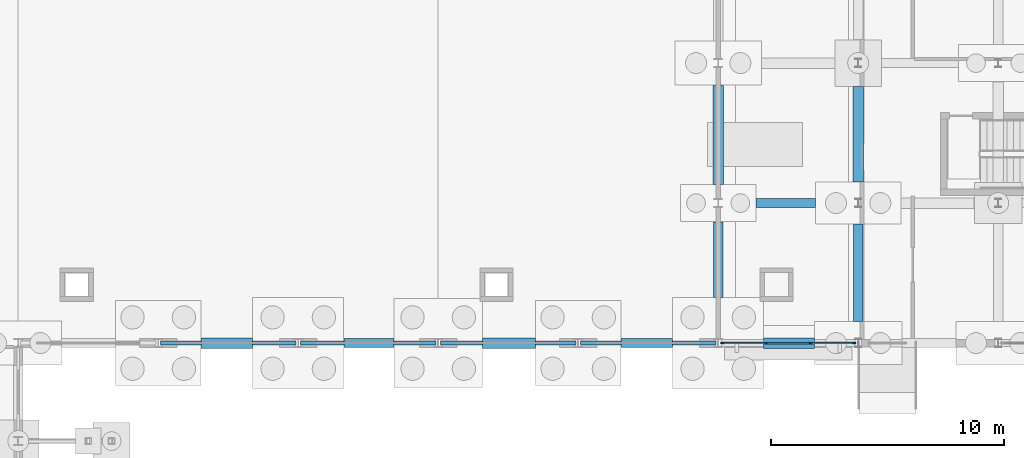
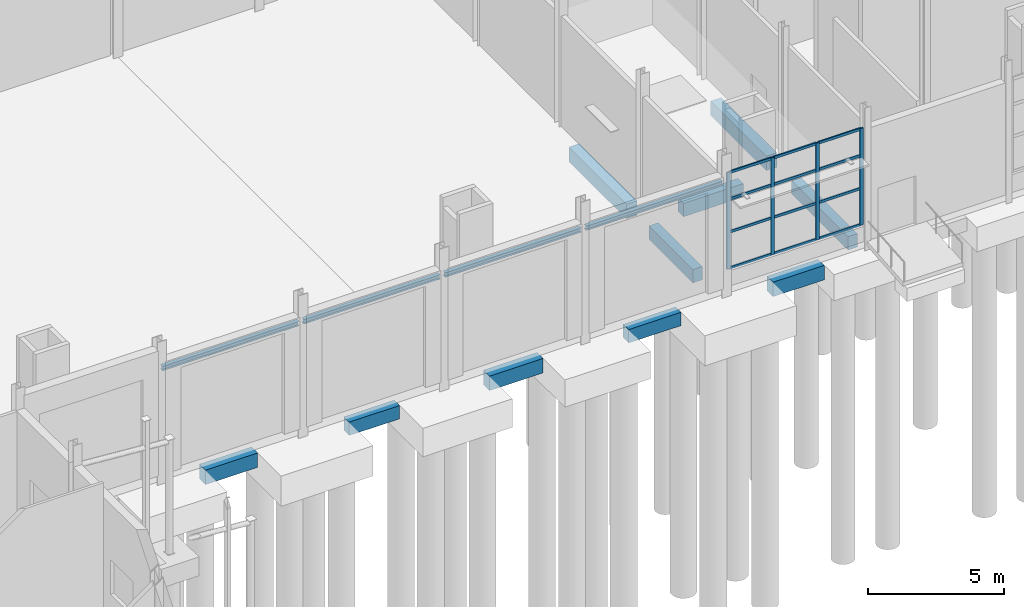
# One storey, part 40 of 120: 16 members, 14 beams, 1 element without a shape of its own.
"""IFC4 building model written with IfcOpenShell, lengths in metres."""

import ifcopenshell
import ifcopenshell.guid

model = None  # the IFC model being written
_history = None  # IfcOwnerHistory: only IFC2X3 demands one
_inside = {}  # id of a spatial element -> (the spatial element, [elements in it])
_under = {}  # id of a project, library or spatial element -> (it, [spatial elements below it])
_declared = {}  # id of a project -> (the project, [libraries it declares])
_typed = {}  # id of a type object -> (the type object, [elements of that type])
_made_of = {}  # id of a material, layer set ... -> (it, [elements and type objects made of it])


def new_model(schema):
    """Start an empty IFC model of exactly this schema.

    Asked for "IFC4X3", IfcOpenShell would pick the latest addendum, in which some entities
    have other attributes; the version numbers below select the first issue.
    IFC2X3 requires an IfcOwnerHistory on every rooted entity: one is made here for all.
    """
    global model, _history
    if schema == "IFC4X3":
        model = ifcopenshell.file(schema_version=(4, 3, 0, 0))
    else:
        model = ifcopenshell.file(schema=schema)
    _inside.clear()
    _under.clear()
    _declared.clear()
    _typed.clear()
    _made_of.clear()
    _history = None
    if model.schema == "IFC2X3":
        org = make("IfcOrganization", Name="unknown")
        user = make(
            "IfcPersonAndOrganization",
            ThePerson=make("IfcPerson", FamilyName="unknown"),
            TheOrganization=org,
        )
        app = make(
            "IfcApplication",
            ApplicationDeveloper=org,
            Version="unknown",
            ApplicationFullName="unknown",
            ApplicationIdentifier="unknown",
        )
        _history = make(
            "IfcOwnerHistory",
            OwningUser=user,
            OwningApplication=app,
            ChangeAction="ADDED",
            CreationDate=0,
        )
    return model


def make(cls, **values):
    """One entity of the class cls with the attributes given. An attribute that is None is left unset."""
    return model.create_entity(
        cls, **{name: value for name, value in values.items() if value is not None}
    )


def rooted(cls, **values):
    """An entity with a GlobalId (a new one), such as an element, a storey or a relation."""
    return make(cls, GlobalId=ifcopenshell.guid.new(), OwnerHistory=_history, **values)


def si_unit(unit_type, name, prefix=None):
    """IfcSIUnit, for example si_unit("LENGTHUNIT", "METRE", prefix="MILLI")."""
    return make("IfcSIUnit", UnitType=unit_type, Prefix=prefix, Name=name)


def assignment(units):
    """IfcUnitAssignment: the units of a project."""
    return None if units is None else make("IfcUnitAssignment", Units=units)


def point(xyz):
    """IfcCartesianPoint."""
    return None if xyz is None else make("IfcCartesianPoint", Coordinates=xyz)


def direction(xyz):
    """IfcDirection."""
    return None if xyz is None else make("IfcDirection", DirectionRatios=xyz)


def frame(location, z_axis=None, x_axis=None):
    """IfcAxis2Placement3D, a coordinate frame: its origin and axes. An axis left out is left unset."""
    return make(
        "IfcAxis2Placement3D",
        Location=point(location),
        Axis=direction(z_axis),
        RefDirection=direction(x_axis),
    )


def frame_2d(location, x_axis=None):
    """IfcAxis2Placement2D, a coordinate frame in the plane: its origin and x axis."""
    return make(
        "IfcAxis2Placement2D", Location=point(location), RefDirection=direction(x_axis)
    )


def origin():
    """The frame at (0, 0, 0) with its axes left unset."""
    return frame((0.0, 0.0, 0.0))


def origin_2d():
    """The frame at (0, 0) in the plane with its x axis left unset."""
    return frame_2d((0.0, 0.0))


def place(relative_to, where):
    """IfcLocalPlacement: puts the frame where relative to a parent placement (None: the world)."""
    return make(
        "IfcLocalPlacement", PlacementRelTo=relative_to, RelativePlacement=where
    )


def context(
    kind, dimensions, precision=None, world=None, true_north=None, identifier=None
):
    """IfcGeometricRepresentationContext, for example the 3D "Model" context."""
    return make(
        "IfcGeometricRepresentationContext",
        ContextIdentifier=identifier,
        ContextType=kind,
        CoordinateSpaceDimension=dimensions,
        Precision=precision,
        WorldCoordinateSystem=world,
        TrueNorth=true_north,
    )


def subcontext(parent, identifier, kind, view, scale=None):
    """IfcGeometricRepresentationSubContext, for example "Body" below "Model"."""
    return make(
        "IfcGeometricRepresentationSubContext",
        ContextIdentifier=identifier,
        ContextType=kind,
        ParentContext=parent,
        TargetScale=scale,
        TargetView=view,
    )


def project(units=None, contexts=None):
    """IfcProject with its units and contexts."""
    return rooted(
        "IfcProject",
        Name="project",
        RepresentationContexts=contexts,
        UnitsInContext=assignment(units),
    )


def spatial(cls, under=None, at=None, **own):
    """A site, building, storey or space (cls), placed at a placement, below another one or the project."""
    s = rooted(cls, ObjectPlacement=at, **own)
    if under is not None:
        _under.setdefault(under.id(), (under, []))[1].append(s)
    return s


def profile(cls, at=None, kind="AREA", **sizes):
    """A parametric profile (cls). Its sizes go by their IFC names, for example OverallWidth=200.0."""
    return make(cls, ProfileType=kind, Position=at, **sizes)


def rectangle(**sizes):
    """IfcRectangleProfileDef."""
    return profile("IfcRectangleProfileDef", **sizes)


def i_section(**sizes):
    """IfcIShapeProfileDef."""
    return profile("IfcIShapeProfileDef", **sizes)


def extrude(swept, where, along, depth):
    """IfcExtrudedAreaSolid: the profile swept, set in the frame where, extruded along a direction by depth."""
    return make(
        "IfcExtrudedAreaSolid",
        SweptArea=swept,
        Position=where,
        ExtrudedDirection=direction(along),
        Depth=depth,
    )


def shape(context_of_items, identifier, shape_type, items):
    """IfcShapeRepresentation: the items that make up one representation, for example the "Body"."""
    return make(
        "IfcShapeRepresentation",
        ContextOfItems=context_of_items,
        RepresentationIdentifier=identifier,
        RepresentationType=shape_type,
        Items=items,
    )


def material(Name=None, Category=None):
    """IfcMaterial."""
    return make("IfcMaterial", Name=Name, Category=Category)


def material_profile(
    of_material, cross_section, Name=None, Category=None, Priority=None
):
    """IfcMaterialProfile: a cross section and its material."""
    return make(
        "IfcMaterialProfile",
        Name=Name,
        Material=of_material,
        Profile=cross_section,
        Priority=Priority,
        Category=Category,
    )


def profile_set(profiles, Name=None, composite=None):
    """IfcMaterialProfileSet."""
    return make(
        "IfcMaterialProfileSet",
        Name=Name,
        MaterialProfiles=profiles,
        CompositeProfile=composite,
    )


def made_of(thing, what):
    """Note that an element or type object is made of a material, layer set ...; save() writes the relation."""
    if what is not None:
        _made_of.setdefault(what.id(), (what, []))[1].append(thing)
    return thing


def type_object(cls, material=None, **own):
    """A type object (cls), such as IfcWallType, which elements share."""
    return made_of(rooted(cls, **own), material)


def element(
    cls,
    number,
    at=None,
    inside=None,
    cuts=None,
    type_object=None,
    material=None,
    context=None,
    identifier="Body",
    shape_type=None,
    held_by="IfcProductDefinitionShape",
    body=None,
    shapes=None,
    **own,
):
    """One element of the class cls, such as IfcWall. Its Tag is "e" and its number.

    at: its placement. inside: the storey or other place that contains it. cuts: it is an
    opening in that element (IfcRelVoidsElement). A single representation is given by context,
    identifier, shape_type and body (its items); several are given by shapes. held_by: the class
    of the entity that holds the representations. save() writes the other relations.
    """
    e = rooted(cls, Tag="e%d" % number, ObjectPlacement=at, **own)
    if body is not None:
        shapes = [shape(context, identifier, shape_type, body)]
    if shapes is not None:
        e.Representation = make(held_by, Representations=shapes)
    if inside is not None:
        _inside.setdefault(inside.id(), (inside, []))[1].append(e)
    if cuts is not None:
        rooted(
            "IfcRelVoidsElement", RelatingBuildingElement=cuts, RelatedOpeningElement=e
        )
    if type_object is not None:
        _typed.setdefault(type_object.id(), (type_object, []))[1].append(e)
    return made_of(e, material)


def aggregate(whole, parts):
    """IfcRelAggregates: a whole, such as a stair, and the parts it consists of."""
    return rooted("IfcRelAggregates", RelatingObject=whole, RelatedObjects=parts)


def save(model, path):
    """Write the relations noted so far, then the file.

    IfcRelAggregates (storeys below a building ...), IfcRelContainedInSpatialStructure (elements
    in a storey), IfcRelDefinesByType, IfcRelAssociatesMaterial and IfcRelDeclares: one each for
    every whole, place, type object, material and project.
    """
    for whole, parts in _under.values():
        aggregate(whole, parts)
    for where, things in _inside.values():
        rooted(
            "IfcRelContainedInSpatialStructure",
            RelatedElements=things,
            RelatingStructure=where,
        )
    for kind, things in _typed.values():
        rooted("IfcRelDefinesByType", RelatedObjects=things, RelatingType=kind)
    for what, things in _made_of.values():
        rooted("IfcRelAssociatesMaterial", RelatedObjects=things, RelatingMaterial=what)
    for by, libraries in _declared.values():
        rooted("IfcRelDeclares", RelatingContext=by, RelatedDefinitions=libraries)
    model.write(path)


model = new_model("IFC4")

# Units and contexts
model_context = context("Model", 3, precision=1e-05, world=origin(), true_north=direction((0.0, 1.0)))
body_context = subcontext(model_context, "Body", "Model", "MODEL_VIEW")
ifc_project = project(units=[si_unit("LENGTHUNIT", "METRE"), si_unit("AREAUNIT", "SQUARE_METRE"), si_unit("VOLUMEUNIT", "CUBIC_METRE"), si_unit("PLANEANGLEUNIT", "RADIAN"), si_unit("MASSUNIT", "GRAM", prefix="KILO")], contexts=[model_context])

# Site, building, storey
site_placement = place(None, origin())
site = spatial("IfcSite", under=ifc_project, at=site_placement, CompositionType="ELEMENT")
building_placement = place(site_placement, origin())
building = spatial("IfcBuilding", under=site, at=building_placement, Name="Siltcreek Boulevard Central Fire Station", CompositionType="ELEMENT")
storey_placement = place(building_placement, origin())
storey = spatial("IfcBuildingStorey", under=building, at=storey_placement, Name="L01", CompositionType="ELEMENT", Elevation=0.0)

# Curtain wall, members
ifc_material_1 = material(Name="Anodized aluminum and low-E insulated glazing", Category="aluminium")
curtain_wall_type = type_object("IfcCurtainWallType", Name="CW_SYS_16", PredefinedType="USERDEFINED", material=ifc_material_1)
curtain_wall_placement = place(storey_placement, origin())
curtain_wall = element("IfcCurtainWall", 1, at=curtain_wall_placement, inside=storey, type_object=curtain_wall_type, Name="L01 V2 unitised curtain wall CW-015", ObjectType="CURTAIN WALL", PredefinedType="USERDEFINED")
ifc_material_2 = material(Name="Anodized 6063-T6 aluminum framing", Category="aluminium")
ifc_material_profile_1 = material_profile(ifc_material_2, rectangle(XDim=0.06005859375, YDim=0.14990234375, at=origin_2d()), Name="MULL60X150")
ifc_profile_set_1 = profile_set([ifc_material_profile_1], Name="Anodized 6063-T6 aluminum framing")
member_type_1 = type_object("IfcMemberType", Name="CWM_60X150", PredefinedType="MULLION", material=ifc_profile_set_1)
member_1_placement = place(storey_placement, frame((90.175048828125, 18.0, 0.679931640625), z_axis=(0.0, 0.0, 1.0), x_axis=(0.0, 1.0, 0.0)))
member_1 = element("IfcMember", 2, at=member_1_placement, type_object=member_type_1, Name="CW-015 mullion 1", PredefinedType="MULLION", context=body_context, shape_type="SweptSolid", body=[
    extrude(rectangle(XDim=0.06005859375, YDim=0.14990234375, at=origin_2d()), origin(), (0.0, 0.0, 1.0), 4.35498046875),
])
member_2_placement = place(storey_placement, frame((92.04833984375, 18.0, 0.679931640625), z_axis=(0.0, 0.0, 1.0), x_axis=(0.0, 1.0, 0.0)))
member_2 = element("IfcMember", 3, at=member_2_placement, type_object=member_type_1, Name="CW-015 mullion 2", PredefinedType="MULLION", context=body_context, shape_type="SweptSolid", body=[
    extrude(rectangle(XDim=0.06005859375, YDim=0.14990234375, at=origin_2d()), origin(), (0.0, 0.0, 1.0), 4.35498046875),
])
member_3_placement = place(storey_placement, frame((93.95166015625, 18.0, 0.679931640625), z_axis=(0.0, 0.0, 1.0), x_axis=(0.0, 1.0, 0.0)))
member_3 = element("IfcMember", 4, at=member_3_placement, type_object=member_type_1, Name="CW-015 mullion 3", PredefinedType="MULLION", context=body_context, shape_type="SweptSolid", body=[
    extrude(rectangle(XDim=0.06005859375, YDim=0.14990234375, at=origin_2d()), origin(), (0.0, 0.0, 1.0), 4.35498046875),
])
member_4_placement = place(storey_placement, frame((95.824951171875, 18.0, 0.679931640625), z_axis=(0.0, 0.0, 1.0), x_axis=(0.0, 1.0, 0.0)))
member_4 = element("IfcMember", 5, at=member_4_placement, type_object=member_type_1, Name="CW-015 mullion 4", PredefinedType="MULLION", context=body_context, shape_type="SweptSolid", body=[
    extrude(rectangle(XDim=0.06005859375, YDim=0.14990234375, at=origin_2d()), origin(), (0.0, 0.0, 1.0), 4.35498046875),
])
ifc_material_profile_2 = material_profile(ifc_material_2, rectangle(XDim=0.06005859375, YDim=0.114990234375, at=origin_2d()), Name="TRAN60X115")
ifc_profile_set_2 = profile_set([ifc_material_profile_2], Name="Anodized 6063-T6 aluminum framing")
member_type_2 = type_object("IfcMemberType", Name="CWT_60X115", PredefinedType="USERDEFINED", material=ifc_profile_set_2)
member_5_placement = place(storey_placement, frame((90.205078125, 18.0, 0.7099609375), z_axis=(1.0, 0.0, 0.0), x_axis=(0.0, 1.0, 0.0)))
member_5 = element("IfcMember", 6, at=member_5_placement, type_object=member_type_2, Name="CW-015 transom 1.1", ObjectType="TRANSOM", PredefinedType="USERDEFINED", context=body_context, shape_type="SweptSolid", body=[
    extrude(rectangle(XDim=0.06005859375, YDim=0.114990234375, at=origin_2d()), origin(), (0.0, 0.0, 1.0), 1.813232421875),
])
member_6_placement = place(storey_placement, frame((90.205078125, 18.0, 2.3349609375), z_axis=(1.0, 0.0, 0.0), x_axis=(0.0, 1.0, 0.0)))
member_6 = element("IfcMember", 7, at=member_6_placement, type_object=member_type_2, Name="CW-015 transom 1.2", ObjectType="TRANSOM", PredefinedType="USERDEFINED", context=body_context, shape_type="SweptSolid", body=[
    extrude(rectangle(XDim=0.06005859375, YDim=0.114990234375, at=origin_2d()), origin(), (0.0, 0.0, 1.0), 1.813232421875),
])
member_7_placement = place(storey_placement, frame((90.205078125, 18.0, 3.815673828125), z_axis=(1.0, 0.0, 0.0), x_axis=(0.0, 1.0, 0.0)))
member_7 = element("IfcMember", 8, at=member_7_placement, type_object=member_type_2, Name="CW-015 transom 1.3", ObjectType="TRANSOM", PredefinedType="USERDEFINED", context=body_context, shape_type="SweptSolid", body=[
    extrude(rectangle(XDim=0.06005859375, YDim=0.114990234375, at=origin_2d()), origin(), (0.0, 0.0, 1.0), 1.813232421875),
])
member_8_placement = place(storey_placement, frame((90.205078125, 18.0, 5.0048828125), z_axis=(1.0, 0.0, 0.0), x_axis=(0.0, 1.0, 0.0)))
member_8 = element("IfcMember", 9, at=member_8_placement, type_object=member_type_2, Name="CW-015 transom 1.4", ObjectType="TRANSOM", PredefinedType="USERDEFINED", context=body_context, shape_type="SweptSolid", body=[
    extrude(rectangle(XDim=0.06005859375, YDim=0.114990234375, at=origin_2d()), origin(), (0.0, 0.0, 1.0), 1.813232421875),
])
member_9_placement = place(storey_placement, frame((92.078369140625, 18.0, 0.7099609375), z_axis=(1.0, 0.0, 0.0), x_axis=(0.0, 1.0, 0.0)))
member_9 = element("IfcMember", 10, at=member_9_placement, type_object=member_type_2, Name="CW-015 transom 2.1", ObjectType="TRANSOM", PredefinedType="USERDEFINED", context=body_context, shape_type="SweptSolid", body=[
    extrude(rectangle(XDim=0.06005859375, YDim=0.114990234375, at=origin_2d()), origin(), (0.0, 0.0, 1.0), 1.84326171875),
])
member_10_placement = place(storey_placement, frame((92.078369140625, 18.0, 2.3349609375), z_axis=(1.0, 0.0, 0.0), x_axis=(0.0, 1.0, 0.0)))
member_10 = element("IfcMember", 11, at=member_10_placement, type_object=member_type_2, Name="CW-015 transom 2.2", ObjectType="TRANSOM", PredefinedType="USERDEFINED", context=body_context, shape_type="SweptSolid", body=[
    extrude(rectangle(XDim=0.06005859375, YDim=0.114990234375, at=origin_2d()), origin(), (0.0, 0.0, 1.0), 1.84326171875),
])
member_11_placement = place(storey_placement, frame((92.078369140625, 18.0, 3.815673828125), z_axis=(1.0, 0.0, 0.0), x_axis=(0.0, 1.0, 0.0)))
member_11 = element("IfcMember", 12, at=member_11_placement, type_object=member_type_2, Name="CW-015 transom 2.3", ObjectType="TRANSOM", PredefinedType="USERDEFINED", context=body_context, shape_type="SweptSolid", body=[
    extrude(rectangle(XDim=0.06005859375, YDim=0.114990234375, at=origin_2d()), origin(), (0.0, 0.0, 1.0), 1.84326171875),
])
member_12_placement = place(storey_placement, frame((92.078369140625, 18.0, 5.0048828125), z_axis=(1.0, 0.0, 0.0), x_axis=(0.0, 1.0, 0.0)))
member_12 = element("IfcMember", 13, at=member_12_placement, type_object=member_type_2, Name="CW-015 transom 2.4", ObjectType="TRANSOM", PredefinedType="USERDEFINED", context=body_context, shape_type="SweptSolid", body=[
    extrude(rectangle(XDim=0.06005859375, YDim=0.114990234375, at=origin_2d()), origin(), (0.0, 0.0, 1.0), 1.84326171875),
])
member_13_placement = place(storey_placement, frame((93.981689453125, 18.0, 0.7099609375), z_axis=(1.0, 0.0, 0.0), x_axis=(0.0, 1.0, 0.0)))
member_13 = element("IfcMember", 14, at=member_13_placement, type_object=member_type_2, Name="CW-015 transom 3.1", ObjectType="TRANSOM", PredefinedType="USERDEFINED", context=body_context, shape_type="SweptSolid", body=[
    extrude(rectangle(XDim=0.06005859375, YDim=0.114990234375, at=origin_2d()), origin(), (0.0, 0.0, 1.0), 1.813232421875),
])
member_14_placement = place(storey_placement, frame((93.981689453125, 18.0, 2.3349609375), z_axis=(1.0, 0.0, 0.0), x_axis=(0.0, 1.0, 0.0)))
member_14 = element("IfcMember", 15, at=member_14_placement, type_object=member_type_2, Name="CW-015 transom 3.2", ObjectType="TRANSOM", PredefinedType="USERDEFINED", context=body_context, shape_type="SweptSolid", body=[
    extrude(rectangle(XDim=0.06005859375, YDim=0.114990234375, at=origin_2d()), origin(), (0.0, 0.0, 1.0), 1.813232421875),
])
member_15_placement = place(storey_placement, frame((93.981689453125, 18.0, 3.815673828125), z_axis=(1.0, 0.0, 0.0), x_axis=(0.0, 1.0, 0.0)))
member_15 = element("IfcMember", 16, at=member_15_placement, type_object=member_type_2, Name="CW-015 transom 3.3", ObjectType="TRANSOM", PredefinedType="USERDEFINED", context=body_context, shape_type="SweptSolid", body=[
    extrude(rectangle(XDim=0.06005859375, YDim=0.114990234375, at=origin_2d()), origin(), (0.0, 0.0, 1.0), 1.813232421875),
])
member_16_placement = place(storey_placement, frame((93.981689453125, 18.0, 5.0048828125), z_axis=(1.0, 0.0, 0.0), x_axis=(0.0, 1.0, 0.0)))
member_16 = element("IfcMember", 17, at=member_16_placement, type_object=member_type_2, Name="CW-015 transom 3.4", ObjectType="TRANSOM", PredefinedType="USERDEFINED", context=body_context, shape_type="SweptSolid", body=[
    extrude(rectangle(XDim=0.06005859375, YDim=0.114990234375, at=origin_2d()), origin(), (0.0, 0.0, 1.0), 1.813232421875),
])
aggregate(curtain_wall, [member_1, member_2, member_3, member_4, member_5, member_6, member_7, member_8, member_9, member_10, member_11, member_12, member_13, member_14, member_15, member_16])

# Beams
ifc_material_3 = material(Name="Concrete C35/45", Category="concrete")
ifc_material_profile_3 = material_profile(ifc_material_3, rectangle(XDim=0.39990234375, YDim=0.60009765625, at=origin_2d()), Name="RC400X600")
ifc_profile_set_3 = profile_set([ifc_material_profile_3], Name="Concrete C35/45")
beam_type_1 = type_object("IfcBeamType", Name="GB_RC400X600", PredefinedType="USERDEFINED", material=ifc_profile_set_3)
beam_1_placement = place(storey_placement, frame((73.951904296875, 18.0, -0.7099609375), z_axis=(1.0, 0.0, 0.0), x_axis=(0.0, 1.0, 0.0)))
element("IfcBeam", 18, at=beam_1_placement, inside=storey, type_object=beam_type_1, Name="Reinforced concrete tie grade beam GB-035", ObjectType="GRADE BEAM", PredefinedType="USERDEFINED", context=body_context, shape_type="SweptSolid", body=[
    extrude(rectangle(XDim=0.39990234375, YDim=0.60009765625, at=origin_2d()), origin(), (0.0, 0.0, 1.0), 2.14599609375),
])
beam_2_placement = place(storey_placement, frame((85.826904296875, 18.0, -0.7099609375), z_axis=(1.0, 0.0, 0.0), x_axis=(0.0, 1.0, 0.0)))
element("IfcBeam", 19, at=beam_2_placement, inside=storey, type_object=beam_type_1, Name="Reinforced concrete tie grade beam GB-037", ObjectType="GRADE BEAM", PredefinedType="USERDEFINED", context=body_context, shape_type="SweptSolid", body=[
    extrude(rectangle(XDim=0.39990234375, YDim=0.60009765625, at=origin_2d()), origin(), (0.0, 0.0, 1.0), 2.22119140625),
])
beam_3_placement = place(storey_placement, frame((91.626953125, 24.0, -0.7099609375), z_axis=(1.0, 0.0, 0.0), x_axis=(0.0, 1.0, 0.0)))
element("IfcBeam", 20, at=beam_3_placement, inside=storey, type_object=beam_type_1, Name="Reinforced concrete tie grade beam GB-053", ObjectType="GRADE BEAM", PredefinedType="USERDEFINED", context=body_context, shape_type="SweptSolid", body=[
    extrude(rectangle(XDim=0.39990234375, YDim=0.60009765625, at=origin_2d()), origin(), (0.0, 0.0, 1.0), 2.546142578125),
])
beam_4_placement = place(storey_placement, frame((90.0, 19.951904296875, -0.7099609375), z_axis=(0.0, 1.0, 0.0), x_axis=(-1.0, 0.0, 0.0)))
element("IfcBeam", 21, at=beam_4_placement, inside=storey, type_object=beam_type_1, Name="Reinforced concrete tie grade beam GB-185", ObjectType="GRADE BEAM", PredefinedType="USERDEFINED", context=body_context, shape_type="SweptSolid", body=[
    extrude(rectangle(XDim=0.39990234375, YDim=0.60009765625, at=origin_2d()), origin(), (0.0, 0.0, 1.0), 3.24609375),
])
beam_5_placement = place(storey_placement, frame((96.0, 18.927001953125, -0.7099609375), z_axis=(0.0, 1.0, 0.0), x_axis=(-1.0, 0.0, 0.0)))
element("IfcBeam", 22, at=beam_5_placement, inside=storey, type_object=beam_type_1, Name="Reinforced concrete tie grade beam GB-191", ObjectType="GRADE BEAM", PredefinedType="USERDEFINED", context=body_context, shape_type="SweptSolid", body=[
    extrude(rectangle(XDim=0.39990234375, YDim=0.60009765625, at=origin_2d()), origin(), (0.0, 0.0, 1.0), 4.1708984375),
])
ifc_material_profile_4 = material_profile(ifc_material_3, rectangle(XDim=0.449951171875, YDim=0.64990234375, at=origin_2d()), Name="RC450X650")
ifc_profile_set_4 = profile_set([ifc_material_profile_4], Name="Concrete C35/45")
beam_type_2 = type_object("IfcBeamType", Name="GB_RC450X650", PredefinedType="USERDEFINED", material=ifc_profile_set_4)
beam_6_placement = place(storey_placement, frame((67.826904296875, 18.0, -0.735107421875), z_axis=(1.0, 0.0, 0.0), x_axis=(0.0, 1.0, 0.0)))
element("IfcBeam", 23, at=beam_6_placement, inside=storey, type_object=beam_type_2, Name="Reinforced concrete tie grade beam GB-034", ObjectType="GRADE BEAM", PredefinedType="USERDEFINED", context=body_context, shape_type="SweptSolid", body=[
    extrude(rectangle(XDim=0.449951171875, YDim=0.64990234375, at=origin_2d()), origin(), (0.0, 0.0, 1.0), 2.22119140625),
])
beam_7_placement = place(storey_placement, frame((79.902099609375, 18.0, -0.735107421875), z_axis=(1.0, 0.0, 0.0), x_axis=(0.0, 1.0, 0.0)))
element("IfcBeam", 24, at=beam_7_placement, inside=storey, type_object=beam_type_2, Name="Reinforced concrete tie grade beam GB-036", ObjectType="GRADE BEAM", PredefinedType="USERDEFINED", context=body_context, shape_type="SweptSolid", body=[
    extrude(rectangle(XDim=0.449951171875, YDim=0.64990234375, at=origin_2d()), origin(), (0.0, 0.0, 1.0), 2.27099609375),
])
beam_8_placement = place(storey_placement, frame((91.951904296875, 18.0, -0.735107421875), z_axis=(1.0, 0.0, 0.0), x_axis=(0.0, 1.0, 0.0)))
element("IfcBeam", 25, at=beam_8_placement, inside=storey, type_object=beam_type_2, Name="Reinforced concrete tie grade beam GB-038", ObjectType="GRADE BEAM", PredefinedType="USERDEFINED", context=body_context, shape_type="SweptSolid", body=[
    extrude(rectangle(XDim=0.449951171875, YDim=0.64990234375, at=origin_2d()), origin(), (0.0, 0.0, 1.0), 2.171142578125),
])
beam_9_placement = place(storey_placement, frame((90.0, 24.802001953125, -0.735107421875), z_axis=(0.0, 1.0, 0.0), x_axis=(-1.0, 0.0, 0.0)))
element("IfcBeam", 26, at=beam_9_placement, inside=storey, type_object=beam_type_2, Name="Reinforced concrete tie grade beam GB-186", ObjectType="GRADE BEAM", PredefinedType="USERDEFINED", context=body_context, shape_type="SweptSolid", body=[
    extrude(rectangle(XDim=0.449951171875, YDim=0.64990234375, at=origin_2d()), origin(), (0.0, 0.0, 1.0), 4.24609375),
])
beam_10_placement = place(storey_placement, frame((96.0, 24.902099609375, -0.735107421875), z_axis=(0.0, 1.0, 0.0), x_axis=(-1.0, 0.0, 0.0)))
element("IfcBeam", 27, at=beam_10_placement, inside=storey, type_object=beam_type_2, Name="Reinforced concrete tie grade beam GB-192", ObjectType="GRADE BEAM", PredefinedType="USERDEFINED", context=body_context, shape_type="SweptSolid", body=[
    extrude(rectangle(XDim=0.449951171875, YDim=0.64990234375, at=origin_2d()), origin(), (0.0, 0.0, 1.0), 4.095947265625),
])
ifc_material_4 = material(Name="Structural steel ASTM A992 Gr50", Category="steel")
ifc_material_profile_5 = material_profile(ifc_material_4, i_section(OverallWidth=0.1650390625, OverallDepth=0.200927734375, WebThickness=0.006103515625, FlangeThickness=0.01025390625, at=origin_2d()), Name="W200X36")
ifc_profile_set_5 = profile_set([ifc_material_profile_5], Name="Structural steel ASTM A992 Gr50")
beam_type_3 = type_object("IfcBeamType", Name="LIN_W200X36", PredefinedType="LINTEL", material=ifc_profile_set_5)
for number, where, z_axis, x_axis, name in (
    (28, (66.10009765625, 18.0, 4.669921875), (1.0, 0.0, 0.0), (0.0, 1.0, 0.0), "Apparatus bay header lintel beam LN-004"),
    (29, (72.10009765625, 18.0, 4.669921875), (1.0, 0.0, 0.0), (0.0, 1.0, 0.0), "Apparatus bay header lintel beam LN-005"),
    (30, (78.10009765625, 18.0, 4.669921875), (1.0, 0.0, 0.0), (0.0, 1.0, 0.0), "Apparatus bay header lintel beam LN-006"),
    (31, (84.10009765625, 18.0, 4.669921875), (1.0, 0.0, 0.0), (0.0, 1.0, 0.0), "Apparatus bay header lintel beam LN-007"),
):
    element("IfcBeam", number, at=place(storey_placement, frame(where, z_axis=z_axis, x_axis=x_axis)), inside=storey, type_object=beam_type_3, Name=name, PredefinedType="LINTEL", context=body_context, shape_type="SweptSolid", body=[
        extrude(i_section(OverallWidth=0.1650390625, OverallDepth=0.200927734375, WebThickness=0.006103515625, FlangeThickness=0.01025390625, at=origin_2d()), origin(), (0.0, 0.0, 1.0), 5.7998046875),
    ])

save(model, "model.ifc")
